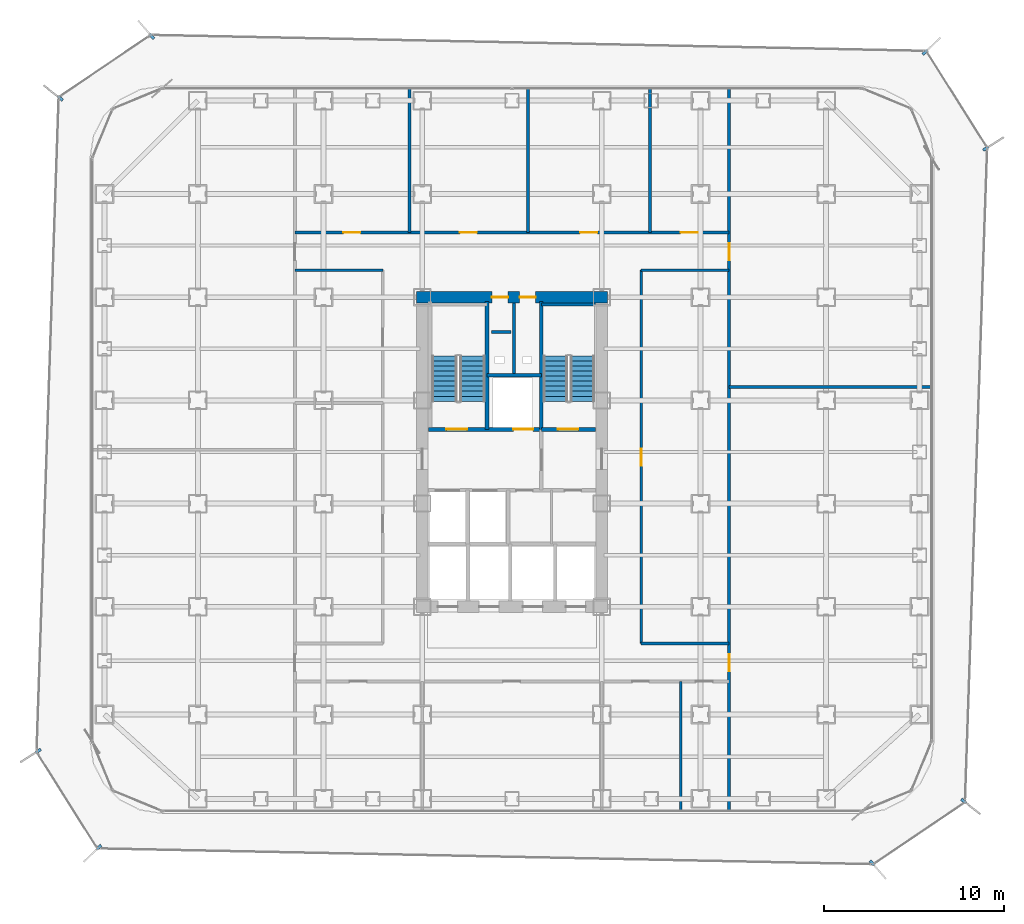
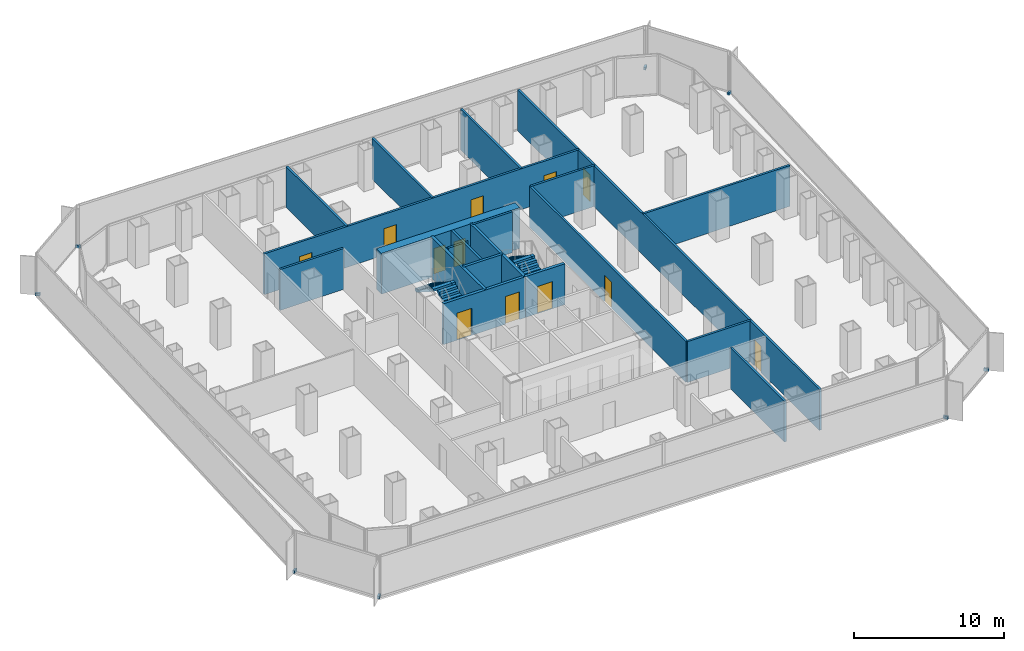
# One storey, part 18 of 21: 20 walls, 12 doors, 8 discrete accessories, 4 stair flights, 12 openings, 2 elements without a shape of their own.
"""IFC4 building model written with IfcOpenShell, lengths in metres."""

from ifc_helpers import new_model, si_unit, direction, frame, frame_2d, origin, origin_2d, place, context, subcontext, project, spatial, polyline, rectangle, outline, extrude, source, transform, mapped, material, layer, layer_set, type_object, element, fill, aggregate, save


model = new_model("IFC4")

# Units and contexts
model_context = context("Model", 3, precision=1e-05, world=origin(), true_north=direction((0.0, 1.0)))
body_context = subcontext(model_context, "Body", "Model", "MODEL_VIEW")
ifc_project = project(units=[si_unit("LENGTHUNIT", "METRE"), si_unit("AREAUNIT", "SQUARE_METRE"), si_unit("VOLUMEUNIT", "CUBIC_METRE"), si_unit("PLANEANGLEUNIT", "RADIAN"), si_unit("MASSUNIT", "GRAM", prefix="KILO")], contexts=[model_context])

# Site, building, storey
site_placement = place(None, origin())
site = spatial("IfcSite", under=ifc_project, at=site_placement, CompositionType="ELEMENT")
building_placement = place(site_placement, origin())
building = spatial("IfcBuilding", under=site, at=building_placement, Name="Kolveth Station Tower", CompositionType="ELEMENT")
storey_placement = place(building_placement, frame((0.0, 0.0, 29.699951171875)))
storey = spatial("IfcBuildingStorey", under=building, at=storey_placement, Name="L07", CompositionType="ELEMENT", Elevation=29.699951171875)

# Wall, openings, doors
ifc_material_1 = material(Name="Concrete C60/75", Category="concrete")
ifc_layer_1 = layer(ifc_material_1, 0.64990234375)
ifc_layer_set_1 = layer_set([ifc_layer_1], Name="Concrete C60/75")
wall_type_1 = type_object("IfcWallType", Name="Wall_CW-650", PredefinedType="SHEAR", material=ifc_layer_set_1)
wall_1_placement = place(storey_placement, frame((18.175048828125, 28.75, 0.0), z_axis=(0.0, 0.0, 1.0), x_axis=(1.0, 0.0, 0.0)))
wall_1 = element("IfcWall", 1, at=wall_1_placement, inside=storey, type_object=wall_type_1, Name="L07 Core RC Shear Wall N", PredefinedType="SHEAR", context=body_context, shape_type="SweptSolid", body=[
    extrude(rectangle(XDim=10.64990234375, YDim=0.64990234375, at=frame_2d((5.324951171875, 0.0))), origin(), (0.0, 0.0, 1.0), 3.320068359375),
])
opening_1_placement = place(wall_1_placement, frame((4.205078125, 0.0, 0.0)))
opening_1 = element("IfcOpeningElement", 2, at=opening_1_placement, cuts=wall_1, Name="Opening RD1", PredefinedType="OPENING", context=body_context, shape_type="SweptSolid", body=[
    extrude(rectangle(XDim=0.89990234375, YDim=2.050048828125, at=frame_2d((0.449951171875, 1.02490234375))), frame((0.0, 0.3349609375, 0.0), z_axis=(0.0, -1.0, 0.0), x_axis=(1.0, 0.0, 0.0)), (0.0, 0.0, 1.0), 0.669921875),
])
opening_2_placement = place(wall_1_placement, frame((5.7451171875, 0.0, 0.0)))
opening_2 = element("IfcOpeningElement", 3, at=opening_2_placement, cuts=wall_1, Name="Opening RD1", PredefinedType="OPENING", context=body_context, shape_type="SweptSolid", body=[
    extrude(rectangle(XDim=0.89990234375, YDim=2.050048828125, at=frame_2d((0.449951171875, 1.02490234375))), frame((0.0, 0.3349609375, 0.0), z_axis=(0.0, -1.0, 0.0), x_axis=(1.0, 0.0, 0.0)), (0.0, 0.0, 1.0), 0.669921875),
])
ifc_material_2 = material(Name="Fire-rated Steel S355 riser access leaf", Category="steel")
door_type_1 = type_object("IfcDoorType", Name="Door_RD1", OperationType="NOTDEFINED", PredefinedType="DOOR", material=ifc_material_2)
door_1_placement = place(opening_1_placement, origin())
door_1 = element("IfcDoor", 4, at=door_1_placement, inside=storey, type_object=door_type_1, Name="L07 Electrical Riser Access Door", OperationType="SINGLE_SWING_LEFT", OverallHeight=2.050048828125, OverallWidth=0.89990234375, PredefinedType="DOOR", context=body_context, shape_type="SweptSolid", body=[
    extrude(rectangle(XDim=0.89990234375, YDim=2.050048828125, at=frame_2d((0.449951171875, 1.02490234375))), frame((0.0, 0.02490234375, 0.0), z_axis=(0.0, -1.0, 0.0), x_axis=(1.0, 0.0, 0.0)), (0.0, 0.0, 1.0), 0.050048828125),
])
fill(opening_1, door_1)
door_2_placement = place(opening_2_placement, origin())
door_2 = element("IfcDoor", 5, at=door_2_placement, inside=storey, type_object=door_type_1, Name="L07 Smoke Duct Access Door", OperationType="SINGLE_SWING_LEFT", OverallHeight=2.050048828125, OverallWidth=0.89990234375, PredefinedType="DOOR", context=body_context, shape_type="SweptSolid", body=[
    extrude(rectangle(XDim=0.89990234375, YDim=2.050048828125, at=frame_2d((0.449951171875, 1.02490234375))), frame((0.0, 0.02490234375, 0.0), z_axis=(0.0, -1.0, 0.0), x_axis=(1.0, 0.0, 0.0)), (0.0, 0.0, 1.0), 0.050048828125),
])
fill(opening_2, door_2)

# Walls
ifc_material_3 = material(Name="Acoustic double-stud gypsum partition")
ifc_layer_2 = layer(ifc_material_3, 0.1650390625)
ifc_layer_set_2 = layer_set([ifc_layer_2], Name="Acoustic double-stud gypsum partition")
wall_type_2 = type_object("IfcWallType", Name="Wall_IW-165", PredefinedType="PARTITIONING", material=ifc_layer_set_2)
wall_2_placement = place(storey_placement, frame((25.1298828125, 28.3349609375, 0.0), z_axis=(0.0, 0.0, 1.0), x_axis=(1.0, 0.0, 0.0)))
element("IfcWall", 6, at=wall_2_placement, inside=storey, type_object=wall_type_2, Name="L07 Stair Shaft Wall WL-L07-ST2-N", PredefinedType="PARTITIONING", context=body_context, shape_type="SweptSolid", body=[
    extrude(rectangle(XDim=3.03515625, YDim=0.1650390625, at=frame_2d((1.517578125, 0.0))), origin(), (0.0, 0.0, 1.0), 3.320068359375),
])
wall_3_placement = place(storey_placement, frame((23.6201171875, 24.39990234375, 0.0), z_axis=(0.0, 0.0, 1.0), x_axis=(0.0, 1.0, 0.0)))
element("IfcWall", 7, at=wall_3_placement, inside=storey, type_object=wall_type_2, Name="L07 Partition Wall WL-L07-RSR-M", PredefinedType="PARTITIONING", context=body_context, shape_type="SweptSolid", body=[
    extrude(rectangle(XDim=4.01513671875, YDim=0.1650390625, at=frame_2d((2.007568359375, 0.0))), origin(), (0.0, 0.0, 1.0), 3.320068359375),
])

# Wall, openings, doors
wall_4_placement = place(storey_placement, frame((11.39990234375, 32.35009765625, 0.0), z_axis=(0.0, 0.0, 1.0), x_axis=(1.0, 0.0, 0.0)))
wall_4 = element("IfcWall", 8, at=wall_4_placement, inside=storey, type_object=wall_type_2, Name="L07 Partition Wall WL-L07-ON", PredefinedType="PARTITIONING", context=body_context, shape_type="SweptSolid", body=[
    extrude(rectangle(XDim=24.2001953125, YDim=0.1650390625, at=frame_2d((12.10009765625, 0.0))), origin(), (0.0, 0.0, 1.0), 3.320068359375),
])
opening_3_placement = place(wall_4_placement, frame((2.699951171875, 0.0, 0.0)))
opening_3 = element("IfcOpeningElement", 9, at=opening_3_placement, cuts=wall_4, Name="Opening ID1", PredefinedType="OPENING", context=body_context, shape_type="SweptSolid", body=[
    extrude(rectangle(XDim=0.949951171875, YDim=2.14990234375, at=frame_2d((0.47509765625, 1.074951171875))), frame((0.0, 0.092529296875, 0.0), z_axis=(0.0, -1.0, 0.0), x_axis=(1.0, 0.0, 0.0)), (0.0, 0.0, 1.0), 0.18505859375),
])
opening_4_placement = place(wall_4_placement, frame((9.199951171875, 0.0, 0.0)))
opening_4 = element("IfcOpeningElement", 10, at=opening_4_placement, cuts=wall_4, Name="Opening ID1", PredefinedType="OPENING", context=body_context, shape_type="SweptSolid", body=[
    extrude(rectangle(XDim=0.949951171875, YDim=2.14990234375, at=frame_2d((0.47509765625, 1.074951171875))), frame((0.0, 0.092529296875, 0.0), z_axis=(0.0, -1.0, 0.0), x_axis=(1.0, 0.0, 0.0)), (0.0, 0.0, 1.0), 0.18505859375),
])
opening_5_placement = place(wall_4_placement, frame((15.89990234375, 0.0, 0.0)))
opening_5 = element("IfcOpeningElement", 11, at=opening_5_placement, cuts=wall_4, Name="Opening ID1", PredefinedType="OPENING", context=body_context, shape_type="SweptSolid", body=[
    extrude(rectangle(XDim=0.949951171875, YDim=2.14990234375, at=frame_2d((0.47509765625, 1.074951171875))), frame((0.0, 0.092529296875, 0.0), z_axis=(0.0, -1.0, 0.0), x_axis=(1.0, 0.0, 0.0)), (0.0, 0.0, 1.0), 0.18505859375),
])
opening_6_placement = place(wall_4_placement, frame((21.5, 0.0, 0.0)))
opening_6 = element("IfcOpeningElement", 12, at=opening_6_placement, cuts=wall_4, Name="Opening ID1", PredefinedType="OPENING", context=body_context, shape_type="SweptSolid", body=[
    extrude(rectangle(XDim=0.949951171875, YDim=2.14990234375, at=frame_2d((0.47509765625, 1.074951171875))), frame((0.0, 0.092529296875, 0.0), z_axis=(0.0, -1.0, 0.0), x_axis=(1.0, 0.0, 0.0)), (0.0, 0.0, 1.0), 0.18505859375),
])
ifc_material_4 = material(Name="Acoustic hardwood leaf and aluminium frame", Category="wood")
door_type_2 = type_object("IfcDoorType", Name="Door_ID1", OperationType="NOTDEFINED", PredefinedType="DOOR", material=ifc_material_4)
door_3_placement = place(opening_3_placement, origin())
door_3 = element("IfcDoor", 13, at=door_3_placement, inside=storey, type_object=door_type_2, Name="L07 Cellular Office 5 Door", OperationType="SINGLE_SWING_RIGHT", OverallHeight=2.14990234375, OverallWidth=0.949951171875, PredefinedType="DOOR", context=body_context, shape_type="SweptSolid", body=[
    extrude(rectangle(XDim=0.949951171875, YDim=2.14990234375, at=frame_2d((0.47509765625, 1.074951171875))), frame((0.0, 0.02490234375, 0.0), z_axis=(0.0, -1.0, 0.0), x_axis=(1.0, 0.0, 0.0)), (0.0, 0.0, 1.0), 0.050048828125),
])
fill(opening_3, door_3)
door_4_placement = place(opening_4_placement, origin())
door_4 = element("IfcDoor", 14, at=door_4_placement, inside=storey, type_object=door_type_2, Name="L07 Cellular Office 6 Door", OperationType="SINGLE_SWING_LEFT", OverallHeight=2.14990234375, OverallWidth=0.949951171875, PredefinedType="DOOR", context=body_context, shape_type="SweptSolid", body=[
    extrude(rectangle(XDim=0.949951171875, YDim=2.14990234375, at=frame_2d((0.47509765625, 1.074951171875))), frame((0.0, 0.02490234375, 0.0), z_axis=(0.0, -1.0, 0.0), x_axis=(1.0, 0.0, 0.0)), (0.0, 0.0, 1.0), 0.050048828125),
])
fill(opening_4, door_4)
door_5_placement = place(opening_5_placement, origin())
door_5 = element("IfcDoor", 15, at=door_5_placement, inside=storey, type_object=door_type_2, Name="L07 Cellular Office 7 Door", OperationType="SINGLE_SWING_RIGHT", OverallHeight=2.14990234375, OverallWidth=0.949951171875, PredefinedType="DOOR", context=body_context, shape_type="SweptSolid", body=[
    extrude(rectangle(XDim=0.949951171875, YDim=2.14990234375, at=frame_2d((0.47509765625, 1.074951171875))), frame((0.0, 0.02490234375, 0.0), z_axis=(0.0, -1.0, 0.0), x_axis=(1.0, 0.0, 0.0)), (0.0, 0.0, 1.0), 0.050048828125),
])
fill(opening_5, door_5)
door_6_placement = place(opening_6_placement, origin())
door_6 = element("IfcDoor", 16, at=door_6_placement, inside=storey, type_object=door_type_2, Name="L07 Office Pantry Door", OperationType="SINGLE_SWING_LEFT", OverallHeight=2.14990234375, OverallWidth=0.949951171875, PredefinedType="DOOR", context=body_context, shape_type="SweptSolid", body=[
    extrude(rectangle(XDim=0.949951171875, YDim=2.14990234375, at=frame_2d((0.47509765625, 1.074951171875))), frame((0.0, 0.02490234375, 0.0), z_axis=(0.0, -1.0, 0.0), x_axis=(1.0, 0.0, 0.0)), (0.0, 0.0, 1.0), 0.050048828125),
])
fill(opening_6, door_6)

# Walls
for number, where, z_axis, x_axis, name in (
    (17, (30.699951171875, 9.449951171875, 0.0), (0.0, 0.0, 1.0), (1.0, 0.0, 0.0), "L07 Partition Wall WL-L07-OSET"),
    (18, (11.39990234375, 30.25, 0.0), (0.0, 0.0, 1.0), (1.0, 0.0, 0.0), "L07 Partition Wall WL-L07-ONWB"),
    (19, (30.699951171875, 30.25, 0.0), (0.0, 0.0, 1.0), (1.0, 0.0, 0.0), "L07 Partition Wall WL-L07-ONEB"),
):
    element("IfcWall", number, at=place(storey_placement, frame(where, z_axis=z_axis, x_axis=x_axis)), inside=storey, type_object=wall_type_2, Name=name, PredefinedType="PARTITIONING", context=body_context, shape_type="SweptSolid", body=[
        extrude(rectangle(XDim=4.900146484375, YDim=0.1650390625, at=frame_2d((2.4501953125, 0.0))), origin(), (0.0, 0.0, 1.0), 3.320068359375),
    ])

# Wall, opening, door
wall_5_placement = place(storey_placement, frame((30.699951171875, 9.449951171875, 0.0), z_axis=(0.0, 0.0, 1.0), x_axis=(0.0, 1.0, 0.0)))
wall_5 = element("IfcWall", 20, at=wall_5_placement, inside=storey, type_object=wall_type_2, Name="L07 Partition Wall WL-L07-OCE", PredefinedType="PARTITIONING", context=body_context, shape_type="SweptSolid", body=[
    extrude(rectangle(XDim=20.800048828125, YDim=0.1650390625, at=frame_2d((10.39990234375, 0.0))), origin(), (0.0, 0.0, 1.0), 3.320068359375),
])
opening_7_placement = place(wall_5_placement, frame((9.89990234375, 0.0, 0.0)))
opening_7 = element("IfcOpeningElement", 21, at=opening_7_placement, cuts=wall_5, Name="Opening ID1", PredefinedType="OPENING", context=body_context, shape_type="SweptSolid", body=[
    extrude(rectangle(XDim=0.949951171875, YDim=2.14990234375, at=frame_2d((0.47509765625, 1.074951171875))), frame((0.0, 0.092529296875, 0.0), z_axis=(0.0, -1.0, 0.0), x_axis=(1.0, 0.0, 0.0)), (0.0, 0.0, 1.0), 0.18505859375),
])
door_7_placement = place(opening_7_placement, origin())
door_7 = element("IfcDoor", 22, at=door_7_placement, inside=storey, type_object=door_type_2, Name="L07 Internal Meeting Room E1 Door", OperationType="SINGLE_SWING_RIGHT", OverallHeight=2.14990234375, OverallWidth=0.949951171875, PredefinedType="DOOR", context=body_context, shape_type="SweptSolid", body=[
    extrude(rectangle(XDim=0.949951171875, YDim=2.14990234375, at=frame_2d((0.47509765625, 1.074951171875))), frame((0.0, 0.02490234375, 0.0), z_axis=(0.0, -1.0, 0.0), x_axis=(1.0, 0.0, 0.0)), (0.0, 0.0, 1.0), 0.050048828125),
])
fill(opening_7, door_7)

# Wall, openings, doors
wall_6_placement = place(storey_placement, frame((35.60009765625, 0.159912109375, 0.0), z_axis=(0.0, 0.0, 1.0), x_axis=(0.0, 1.0, 0.0)))
wall_6 = element("IfcWall", 23, at=wall_6_placement, inside=storey, type_object=wall_type_2, Name="L07 Partition Wall WL-L07-OEEND", PredefinedType="PARTITIONING", context=body_context, shape_type="SweptSolid", body=[
    extrude(rectangle(XDim=40.18017578125, YDim=0.1650390625, at=frame_2d((20.090087890625, 0.0))), origin(), (0.0, 0.0, 1.0), 3.320068359375),
])
opening_8_placement = place(wall_6_placement, frame((7.739990234375, 0.0, 0.0)))
opening_8 = element("IfcOpeningElement", 24, at=opening_8_placement, cuts=wall_6, Name="Opening ID1", PredefinedType="OPENING", context=body_context, shape_type="SweptSolid", body=[
    extrude(rectangle(XDim=0.949951171875, YDim=2.14990234375, at=frame_2d((0.47509765625, 1.074951171875))), frame((0.0, 0.092529296875, 0.0), z_axis=(0.0, -1.0, 0.0), x_axis=(1.0, 0.0, 0.0)), (0.0, 0.0, 1.0), 0.18505859375),
])
opening_9_placement = place(wall_6_placement, frame((30.639892578125, 0.0, 0.0)))
opening_9 = element("IfcOpeningElement", 25, at=opening_9_placement, cuts=wall_6, Name="Opening ID1", PredefinedType="OPENING", context=body_context, shape_type="SweptSolid", body=[
    extrude(rectangle(XDim=0.949951171875, YDim=2.14990234375, at=frame_2d((0.47509765625, 1.074951171875))), frame((0.0, 0.092529296875, 0.0), z_axis=(0.0, -1.0, 0.0), x_axis=(1.0, 0.0, 0.0)), (0.0, 0.0, 1.0), 0.18505859375),
])
door_8_placement = place(opening_8_placement, origin())
door_8 = element("IfcDoor", 26, at=door_8_placement, inside=storey, type_object=door_type_2, Name="L07 East-South Wing Door", OperationType="SINGLE_SWING_RIGHT", OverallHeight=2.14990234375, OverallWidth=0.949951171875, PredefinedType="DOOR", context=body_context, shape_type="SweptSolid", body=[
    extrude(rectangle(XDim=0.949951171875, YDim=2.14990234375, at=frame_2d((0.47509765625, 1.074951171875))), frame((0.0, 0.02490234375, 0.0), z_axis=(0.0, -1.0, 0.0), x_axis=(1.0, 0.0, 0.0)), (0.0, 0.0, 1.0), 0.050048828125),
])
fill(opening_8, door_8)
door_9_placement = place(opening_9_placement, origin())
door_9 = element("IfcDoor", 27, at=door_9_placement, inside=storey, type_object=door_type_2, Name="L07 East-North Wing Door", OperationType="SINGLE_SWING_LEFT", OverallHeight=2.14990234375, OverallWidth=0.949951171875, PredefinedType="DOOR", context=body_context, shape_type="SweptSolid", body=[
    extrude(rectangle(XDim=0.949951171875, YDim=2.14990234375, at=frame_2d((0.47509765625, 1.074951171875))), frame((0.0, 0.02490234375, 0.0), z_axis=(0.0, -1.0, 0.0), x_axis=(1.0, 0.0, 0.0)), (0.0, 0.0, 1.0), 0.050048828125),
])
fill(opening_9, door_9)

# Walls
wall_7_placement = place(storey_placement, frame((32.89990234375, 0.159912109375, 0.0), z_axis=(0.0, 0.0, 1.0), x_axis=(0.0, 1.0, 0.0)))
element("IfcWall", 28, at=wall_7_placement, inside=storey, type_object=wall_type_2, Name="L07 Partition Wall WL-L07-OS-P3", PredefinedType="PARTITIONING", context=body_context, shape_type="SweptSolid", body=[
    extrude(rectangle(XDim=7.190185546875, YDim=0.1650390625, at=frame_2d((3.59521484375, 0.0))), origin(), (0.0, 0.0, 1.0), 3.320068359375),
])
for number, where, z_axis, x_axis, name in (
    (29, (17.800048828125, 32.35009765625, 0.0), (0.0, 0.0, 1.0), (0.0, 1.0, 0.0), "L07 Partition Wall WL-L07-ON-P1"),
    (30, (24.39990234375, 32.35009765625, 0.0), (0.0, 0.0, 1.0), (0.0, 1.0, 0.0), "L07 Partition Wall WL-L07-ON-P2"),
    (31, (31.199951171875, 32.35009765625, 0.0), (0.0, 0.0, 1.0), (0.0, 1.0, 0.0), "L07 Partition Wall WL-L07-ON-P3"),
):
    element("IfcWall", number, at=place(storey_placement, frame(where, z_axis=z_axis, x_axis=x_axis)), inside=storey, type_object=wall_type_2, Name=name, PredefinedType="PARTITIONING", context=body_context, shape_type="SweptSolid", body=[
        extrude(rectangle(XDim=7.989990234375, YDim=0.1650390625, at=frame_2d((3.9951171875, 0.0))), origin(), (0.0, 0.0, 1.0), 3.320068359375),
    ])
wall_8_placement = place(storey_placement, frame((35.60009765625, 23.75, 0.0), z_axis=(0.0, 0.0, 1.0), x_axis=(1.0, 0.0, 0.0)))
element("IfcWall", 32, at=wall_8_placement, inside=storey, type_object=wall_type_2, Name="L07 Partition Wall WL-L07-OEM", PredefinedType="PARTITIONING", context=body_context, shape_type="SweptSolid", body=[
    extrude(rectangle(XDim=11.239990234375, YDim=0.1650390625, at=frame_2d((5.6201171875, 0.0))), origin(), (0.0, 0.0, 1.0), 3.320068359375),
])
wall_9_placement = place(storey_placement, frame((22.35009765625, 26.800048828125, 0.0), z_axis=(0.0, 0.0, 1.0), x_axis=(1.0, 0.0, 0.0)))
element("IfcWall", 33, at=wall_9_placement, inside=storey, type_object=wall_type_2, Name="L07 Acoustic Riser Dry-Lining Wall", PredefinedType="PARTITIONING", context=body_context, shape_type="SweptSolid", body=[
    extrude(rectangle(XDim=1.099853515625, YDim=0.1650390625, at=frame_2d((0.5498046875, 0.0))), origin(), (0.0, 0.0, 1.0), 3.320068359375),
])
ifc_material_5 = material(Name="Acoustic fire-rated gypsum blockwork", Category="masonry")
ifc_layer_3 = layer(ifc_material_5, 0.199951171875)
ifc_layer_set_3 = layer_set([ifc_layer_3], Name="Acoustic fire-rated gypsum blockwork")
wall_type_3 = type_object("IfcWallType", Name="Wall_IW-200", PredefinedType="PARTITIONING", material=ifc_layer_set_3)
wall_10_placement = place(storey_placement, frame((22.110107421875, 24.39990234375, 0.0), z_axis=(0.0, 0.0, 1.0), x_axis=(1.0, 0.0, 0.0)))
element("IfcWall", 34, at=wall_10_placement, inside=storey, type_object=wall_type_3, Name="L07 Partition Wall WL-L07-RSR-S", PredefinedType="PARTITIONING", context=body_context, shape_type="SweptSolid", body=[
    extrude(rectangle(XDim=3.019775390625, YDim=0.199951171875, at=frame_2d((1.509765625, 0.0))), origin(), (0.0, 0.0, 1.0), 3.320068359375),
])
ifc_material_6 = material(Name="Concrete C40/50", Category="concrete")
ifc_layer_4 = layer(ifc_material_6, 0.219970703125)
ifc_layer_set_4 = layer_set([ifc_layer_4], Name="Concrete C40/50")
wall_type_4 = type_object("IfcWallType", Name="Wall_IW-220", PredefinedType="SOLIDWALL", material=ifc_layer_set_4)
for number, where, z_axis, x_axis, name in (
    (35, (22.110107421875, 21.389892578125, 0.0), (0.0, 0.0, 1.0), (0.0, 1.0, 0.0), "L07 Stair Shaft Wall WL-L07-ST1-E"),
    (36, (25.1298828125, 21.389892578125, 0.0), (0.0, 0.0, 1.0), (0.0, 1.0, 0.0), "L07 Stair Shaft Wall WL-L07-ST2-W"),
):
    element("IfcWall", number, at=place(storey_placement, frame(where, z_axis=z_axis, x_axis=x_axis)), inside=storey, type_object=wall_type_4, Name=name, PredefinedType="SOLIDWALL", context=body_context, shape_type="SweptSolid", body=[
        extrude(rectangle(XDim=7.110107421875, YDim=0.219970703125, at=frame_2d((3.55517578125, 0.0))), origin(), (0.0, 0.0, 1.0), 3.320068359375),
    ])

# Wall, openings, doors
wall_11_placement = place(storey_placement, frame((18.8349609375, 21.389892578125, 0.0), z_axis=(0.0, 0.0, 1.0), x_axis=(1.0, 0.0, 0.0)))
wall_11 = element("IfcWall", 37, at=wall_11_placement, inside=storey, type_object=wall_type_4, Name="L07 Stair Shaft Wall WL-L07-ST1-S", PredefinedType="SOLIDWALL", context=body_context, shape_type="SweptSolid", body=[
    extrude(rectangle(XDim=6.294921875, YDim=0.219970703125, at=frame_2d((3.1474609375, 0.0))), origin(), (0.0, 0.0, 1.0), 3.320068359375),
])
opening_10_placement = place(wall_11_placement, frame((1.014892578125, 0.0, 0.0)))
opening_10 = element("IfcOpeningElement", 38, at=opening_10_placement, cuts=wall_11, Name="Opening FD1", PredefinedType="OPENING", context=body_context, shape_type="SweptSolid", body=[
    extrude(rectangle(XDim=1.14990234375, YDim=2.199951171875, at=frame_2d((0.574951171875, 1.10009765625))), frame((0.0, 0.119873046875, 0.0), z_axis=(0.0, -1.0, 0.0), x_axis=(1.0, 0.0, 0.0)), (0.0, 0.0, 1.0), 0.239990234375),
])
opening_11_placement = place(wall_11_placement, frame((4.7451171875, 0.0, 0.0)))
opening_11 = element("IfcOpeningElement", 39, at=opening_11_placement, cuts=wall_11, Name="Opening LD1", PredefinedType="OPENING", context=body_context, shape_type="SweptSolid", body=[
    extrude(rectangle(XDim=1.10009765625, YDim=2.25, at=frame_2d((0.550048828125, 1.125))), frame((0.0, 0.119873046875, 0.0), z_axis=(0.0, -1.0, 0.0), x_axis=(1.0, 0.0, 0.0)), (0.0, 0.0, 1.0), 0.239990234375),
])
ifc_material_7 = material(Name="Fire-rated Steel S355 leaf and frame", Category="steel")
door_type_3 = type_object("IfcDoorType", Name="Door_FD1", OperationType="NOTDEFINED", PredefinedType="DOOR", material=ifc_material_7)
door_10_placement = place(opening_10_placement, frame((1.14990234375, 0.0, 0.0), z_axis=(0.0, 0.0, 1.0), x_axis=(-1.0, 0.0, 0.0)))
door_10 = element("IfcDoor", 40, at=door_10_placement, inside=storey, type_object=door_type_3, Name="L07 Stair ST1 Fire Door", OperationType="SINGLE_SWING_LEFT", OverallHeight=2.199951171875, OverallWidth=1.14990234375, PredefinedType="DOOR", context=body_context, shape_type="SweptSolid", body=[
    extrude(rectangle(XDim=1.14990234375, YDim=2.199951171875, at=frame_2d((0.574951171875, 1.10009765625))), frame((0.0, 0.02490234375, 0.0), z_axis=(0.0, -1.0, 0.0), x_axis=(1.0, 0.0, 0.0)), (0.0, 0.0, 1.0), 0.050048828125),
])
fill(opening_10, door_10)
ifc_material_8 = material(Name="Brushed stainless steel sliding landing doors", Category="steel")
door_type_4 = type_object("IfcDoorType", Name="Door_LD1", OperationType="NOTDEFINED", PredefinedType="DOOR", material=ifc_material_8)
door_11_placement = place(opening_11_placement, frame((1.10009765625, 0.0, 0.0), z_axis=(0.0, 0.0, 1.0), x_axis=(-1.0, 0.0, 0.0)))
door_11 = element("IfcDoor", 41, at=door_11_placement, inside=storey, type_object=door_type_4, Name="L07 Service Lift SV1 Landing Door", OperationType="DOUBLE_DOOR_SLIDING", OverallHeight=2.25, OverallWidth=1.10009765625, PredefinedType="DOOR", context=body_context, shape_type="SweptSolid", body=[
    extrude(rectangle(XDim=1.10009765625, YDim=2.25, at=frame_2d((0.550048828125, 1.125))), frame((0.0, 0.02490234375, 0.0), z_axis=(0.0, -1.0, 0.0), x_axis=(1.0, 0.0, 0.0)), (0.0, 0.0, 1.0), 0.050048828125),
])
fill(opening_11, door_11)

# Wall, opening, door
wall_12_placement = place(storey_placement, frame((25.1298828125, 21.389892578125, 0.0), z_axis=(0.0, 0.0, 1.0), x_axis=(1.0, 0.0, 0.0)))
wall_12 = element("IfcWall", 42, at=wall_12_placement, inside=storey, type_object=wall_type_4, Name="L07 Stair Shaft Wall WL-L07-ST2-S", PredefinedType="SOLIDWALL", context=body_context, shape_type="SweptSolid", body=[
    extrude(rectangle(XDim=3.03515625, YDim=0.219970703125, at=frame_2d((1.517578125, 0.0))), origin(), (0.0, 0.0, 1.0), 3.320068359375),
])
opening_12_placement = place(wall_12_placement, frame((0.919921875, 0.0, 0.0)))
opening_12 = element("IfcOpeningElement", 43, at=opening_12_placement, cuts=wall_12, Name="Opening FD1", PredefinedType="OPENING", context=body_context, shape_type="SweptSolid", body=[
    extrude(rectangle(XDim=1.14990234375, YDim=2.199951171875, at=frame_2d((0.574951171875, 1.10009765625))), frame((0.0, 0.119873046875, 0.0), z_axis=(0.0, -1.0, 0.0), x_axis=(1.0, 0.0, 0.0)), (0.0, 0.0, 1.0), 0.239990234375),
])
door_12_placement = place(opening_12_placement, frame((1.14990234375, 0.0, 0.0), z_axis=(0.0, 0.0, 1.0), x_axis=(-1.0, 0.0, 0.0)))
door_12 = element("IfcDoor", 44, at=door_12_placement, inside=storey, type_object=door_type_3, Name="L07 Stair ST2 Fire Door", OperationType="SINGLE_SWING_RIGHT", OverallHeight=2.199951171875, OverallWidth=1.14990234375, PredefinedType="DOOR", context=body_context, shape_type="SweptSolid", body=[
    extrude(rectangle(XDim=1.14990234375, YDim=2.199951171875, at=frame_2d((0.574951171875, 1.10009765625))), frame((0.0, 0.02490234375, 0.0), z_axis=(0.0, -1.0, 0.0), x_axis=(1.0, 0.0, 0.0)), (0.0, 0.0, 1.0), 0.050048828125),
])
fill(opening_12, door_12)

# Stair, stair flights
stair_type_1 = type_object("IfcStairType", Name="Stair_ST1", PredefinedType="HALF_TURN_STAIR", material=ifc_material_6)
stair_1_placement = place(storey_placement, origin())
stair_1 = element("IfcStair", 45, at=stair_1_placement, inside=storey, type_object=stair_type_1, Name="L07 Tower Exit Stair ST1", PredefinedType="HALF_TURN_STAIR")
ifc_layer_5 = layer(ifc_material_6, 0.179931640625)
ifc_layer_set_5 = layer_set([ifc_layer_5], Name="Concrete C40/50")
stair_flight_type_1 = type_object("IfcStairFlightType", Name="Flight_ST1", PredefinedType="STRAIGHT", material=ifc_layer_set_5)
stair_flight_1_placement = place(storey_placement, frame((21.300048828125, 22.949951171875, 0.0), z_axis=(0.0, 0.0, 1.0), x_axis=(0.0, 1.0, 0.0)))
stair_flight_1 = element("IfcStairFlight", 46, at=stair_flight_1_placement, type_object=stair_flight_type_1, Name="ST1 flight 1", NumberOfRisers=10, NumberOfTreads=9, PredefinedType="STRAIGHT", RiserHeight=0.18, TreadLength=0.28, context=body_context, shape_type="SweptSolid", body=[
    extrude(outline(polyline([(0.0, 0.0), (0.0, 0.179931640625), (0.280029296875, 0.179931640625), (0.280029296875, 0.360107421875), (0.56005859375, 0.360107421875), (0.56005859375, 0.5400390625), (0.840087890625, 0.5400390625), (0.840087890625, 0.719970703125), (1.1201171875, 0.719970703125), (1.1201171875, 0.89990234375), (1.39990234375, 0.89990234375), (1.39990234375, 1.080078125), (1.679931640625, 1.080078125), (1.679931640625, 1.260009765625), (1.9599609375, 1.260009765625), (1.9599609375, 1.43994140625), (2.239990234375, 1.43994140625), (2.239990234375, 1.6201171875), (2.52001953125, 1.6201171875), (2.52001953125, 1.800048828125), (2.52001953125, 1.44189453125), (0.277099609375, 0.0), (0.0, 0.0)])), frame((0.0, 0.699951171875, 0.0), z_axis=(0.0, -1.0, 0.0), x_axis=(1.0, 0.0, 0.0)), (0.0, 0.0, 1.0), 1.39990234375),
])
stair_flight_2_placement = place(storey_placement, frame((19.739990234375, 25.469970703125, 1.800048828125), z_axis=(0.0, 0.0, 1.0), x_axis=(0.0, -1.0, 0.0)))
stair_flight_2 = element("IfcStairFlight", 47, at=stair_flight_2_placement, type_object=stair_flight_type_1, Name="ST1 flight 2", NumberOfRisers=10, NumberOfTreads=9, PredefinedType="STRAIGHT", RiserHeight=0.18, TreadLength=0.28, context=body_context, shape_type="SweptSolid", body=[
    extrude(outline(polyline([(0.0, 0.0), (0.0, 0.179931640625), (0.280029296875, 0.179931640625), (0.280029296875, 0.360107421875), (0.56005859375, 0.360107421875), (0.56005859375, 0.5400390625), (0.840087890625, 0.5400390625), (0.840087890625, 0.719970703125), (1.1201171875, 0.719970703125), (1.1201171875, 0.89990234375), (1.39990234375, 0.89990234375), (1.39990234375, 1.080078125), (1.679931640625, 1.080078125), (1.679931640625, 1.260009765625), (1.9599609375, 1.260009765625), (1.9599609375, 1.43994140625), (2.239990234375, 1.43994140625), (2.239990234375, 1.6201171875), (2.52001953125, 1.6201171875), (2.52001953125, 1.800048828125), (2.52001953125, 1.44189453125), (0.277099609375, 0.0), (0.0, 0.0)])), frame((0.0, 0.699951171875, 0.0), z_axis=(0.0, -1.0, 0.0), x_axis=(1.0, 0.0, 0.0)), (0.0, 0.0, 1.0), 1.39990234375),
])
aggregate(stair_1, [stair_flight_1, stair_flight_2])

stair_type_2 = type_object("IfcStairType", Name="Stair_ST2", PredefinedType="HALF_TURN_STAIR", material=ifc_material_6)
stair_2_placement = place(storey_placement, origin())
stair_2 = element("IfcStair", 48, at=stair_2_placement, inside=storey, type_object=stair_type_2, Name="L07 Tower Exit Stair ST2", PredefinedType="HALF_TURN_STAIR")
ifc_layer_6 = layer(ifc_material_6, 0.179931640625)
ifc_layer_set_6 = layer_set([ifc_layer_6], Name="Concrete C40/50")
stair_flight_type_2 = type_object("IfcStairFlightType", Name="Flight_ST2", PredefinedType="STRAIGHT", material=ifc_layer_set_6)
stair_flight_3_placement = place(storey_placement, frame((27.425048828125, 22.949951171875, 0.0), z_axis=(0.0, 0.0, 1.0), x_axis=(0.0, 1.0, 0.0)))
stair_flight_3 = element("IfcStairFlight", 49, at=stair_flight_3_placement, type_object=stair_flight_type_2, Name="ST2 flight 1", NumberOfRisers=10, NumberOfTreads=9, PredefinedType="STRAIGHT", RiserHeight=0.18, TreadLength=0.28, context=body_context, shape_type="SweptSolid", body=[
    extrude(outline(polyline([(0.0, 0.0), (0.0, 0.179931640625), (0.280029296875, 0.179931640625), (0.280029296875, 0.360107421875), (0.56005859375, 0.360107421875), (0.56005859375, 0.5400390625), (0.840087890625, 0.5400390625), (0.840087890625, 0.719970703125), (1.1201171875, 0.719970703125), (1.1201171875, 0.89990234375), (1.39990234375, 0.89990234375), (1.39990234375, 1.080078125), (1.679931640625, 1.080078125), (1.679931640625, 1.260009765625), (1.9599609375, 1.260009765625), (1.9599609375, 1.43994140625), (2.239990234375, 1.43994140625), (2.239990234375, 1.6201171875), (2.52001953125, 1.6201171875), (2.52001953125, 1.800048828125), (2.52001953125, 1.44189453125), (0.277099609375, 0.0), (0.0, 0.0)])), frame((0.0, 0.675048828125, 0.0), z_axis=(0.0, -1.0, 0.0), x_axis=(1.0, 0.0, 0.0)), (0.0, 0.0, 1.0), 1.35009765625),
])
stair_flight_4_placement = place(storey_placement, frame((25.9150390625, 25.469970703125, 1.800048828125), z_axis=(0.0, 0.0, 1.0), x_axis=(0.0, -1.0, 0.0)))
stair_flight_4 = element("IfcStairFlight", 50, at=stair_flight_4_placement, type_object=stair_flight_type_2, Name="ST2 flight 2", NumberOfRisers=10, NumberOfTreads=9, PredefinedType="STRAIGHT", RiserHeight=0.18, TreadLength=0.28, context=body_context, shape_type="SweptSolid", body=[
    extrude(outline(polyline([(0.0, 0.0), (0.0, 0.179931640625), (0.280029296875, 0.179931640625), (0.280029296875, 0.360107421875), (0.56005859375, 0.360107421875), (0.56005859375, 0.5400390625), (0.840087890625, 0.5400390625), (0.840087890625, 0.719970703125), (1.1201171875, 0.719970703125), (1.1201171875, 0.89990234375), (1.39990234375, 0.89990234375), (1.39990234375, 1.080078125), (1.679931640625, 1.080078125), (1.679931640625, 1.260009765625), (1.9599609375, 1.260009765625), (1.9599609375, 1.43994140625), (2.239990234375, 1.43994140625), (2.239990234375, 1.6201171875), (2.52001953125, 1.6201171875), (2.52001953125, 1.800048828125), (2.52001953125, 1.44189453125), (0.277099609375, 0.0), (0.0, 0.0)])), frame((0.0, 0.675048828125, 0.0), z_axis=(0.0, -1.0, 0.0), x_axis=(1.0, 0.0, 0.0)), (0.0, 0.0, 1.0), 1.35009765625),
])
aggregate(stair_2, [stair_flight_3, stair_flight_4])

# Discrete accessories
ifc_material_9 = material(Name="Steel S355", Category="steel")
discrete_accessory_type = type_object("IfcDiscreteAccessoryType", Name="Bracket_BK1", PredefinedType="BRACKET", material=ifc_material_9)
shared_shape = source(origin(), body_context, "Body", "SweptSolid", [
    extrude(rectangle(XDim=0.35009765625, YDim=0.159912109375, at=origin_2d()), origin(), (0.0, 0.0, 1.0), 0.219970703125),
])
for number, where, z_axis, x_axis, name in (
    (51, (43.56005859375, -2.77001953125, -0.06005859375), (0.0, 0.0, 1.0), (0.656980590831, -0.753907489863, 0.0), "L07 Double-Skin Radial Tie Bracket 1"),
    (52, (48.662109375, 0.675048828125, -0.06005859375), (0.0, 0.0, 1.0), (0.789298462742, -0.614009720373, 0.0), "L07 Double-Skin Radial Tie Bracket 2"),
    (53, (49.89306640625, 37.030029296875, -0.06005859375), (0.0, 0.0, 1.0), (0.843860006976, 0.536563405971, 0.0), "L07 Double-Skin Radial Tie Bracket 3"),
    (54, (46.512939453125, 42.39111328125, -0.06005859375), (0.0, 0.0, 1.0), (0.720672122155, 0.693276057822, 0.0), "L07 Double-Skin Radial Tie Bracket 4"),
    (55, (3.43896484375, 43.27587890625, -0.06005859375), (0.0, 0.0, 1.0), (-0.656848999146, 0.754022143124, 0.0), "L07 Double-Skin Radial Tie Bracket 5"),
    (56, (-1.66796875, 39.827880859375, -0.06005859375), (0.0, 0.0, 1.0), (-0.789298462742, 0.614009720373, 0.0), "L07 Double-Skin Radial Tie Bracket 6"),
    (57, (-2.89306640625, 3.469970703125, -0.06005859375), (0.0, 0.0, 1.0), (-0.843860006976, -0.536563405971, 0.0), "L07 Double-Skin Radial Tie Bracket 7"),
    (58, (0.48291015625, -1.89697265625, -0.06005859375), (0.0, 0.0, 1.0), (-0.72055111168, -0.693401828276, 0.0), "L07 Double-Skin Radial Tie Bracket 8"),
):
    element("IfcDiscreteAccessory", number, at=place(storey_placement, frame(where, z_axis=z_axis, x_axis=x_axis)), inside=storey, type_object=discrete_accessory_type, Name=name, PredefinedType="BRACKET", context=body_context, shape_type="MappedRepresentation", body=[
        mapped(shared_shape, transform((0.0, 0.0, 0.0), x_axis=(1.0, 0.0, 0.0), y_axis=(0.0, 1.0, 0.0), z_axis=(0.0, 0.0, 1.0), scale=1.0)),
    ])

save(model, "model.ifc")
